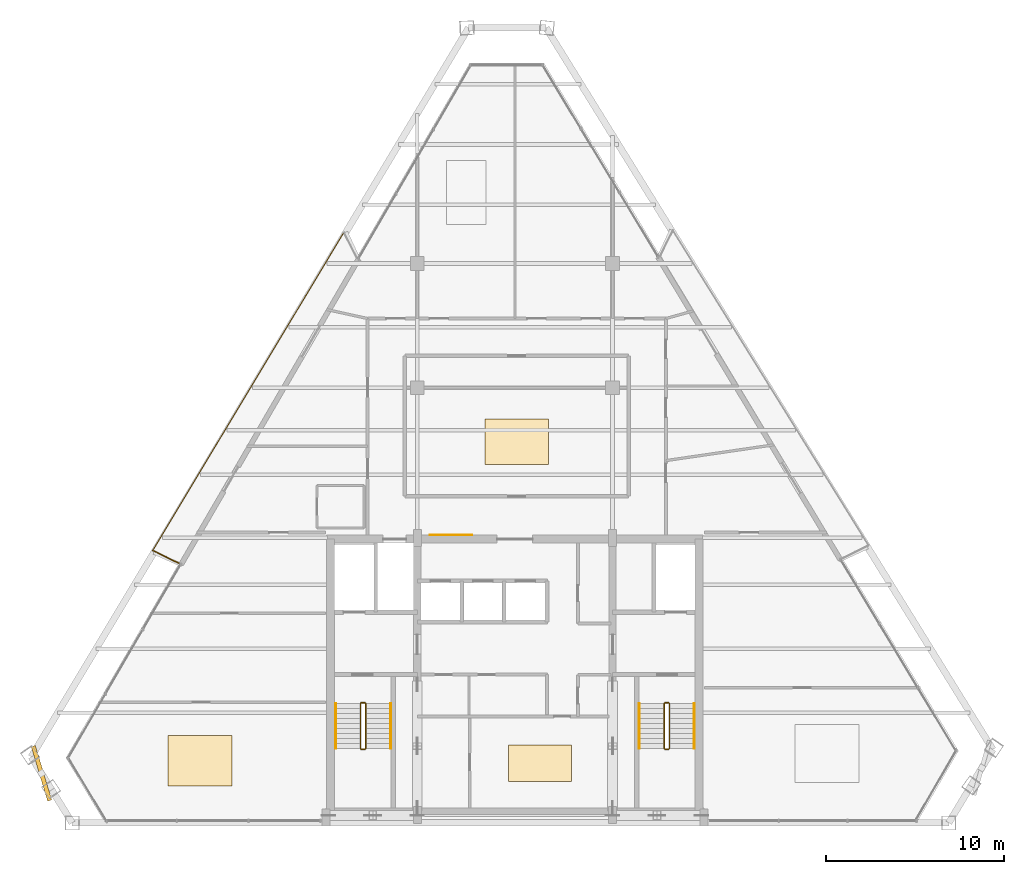
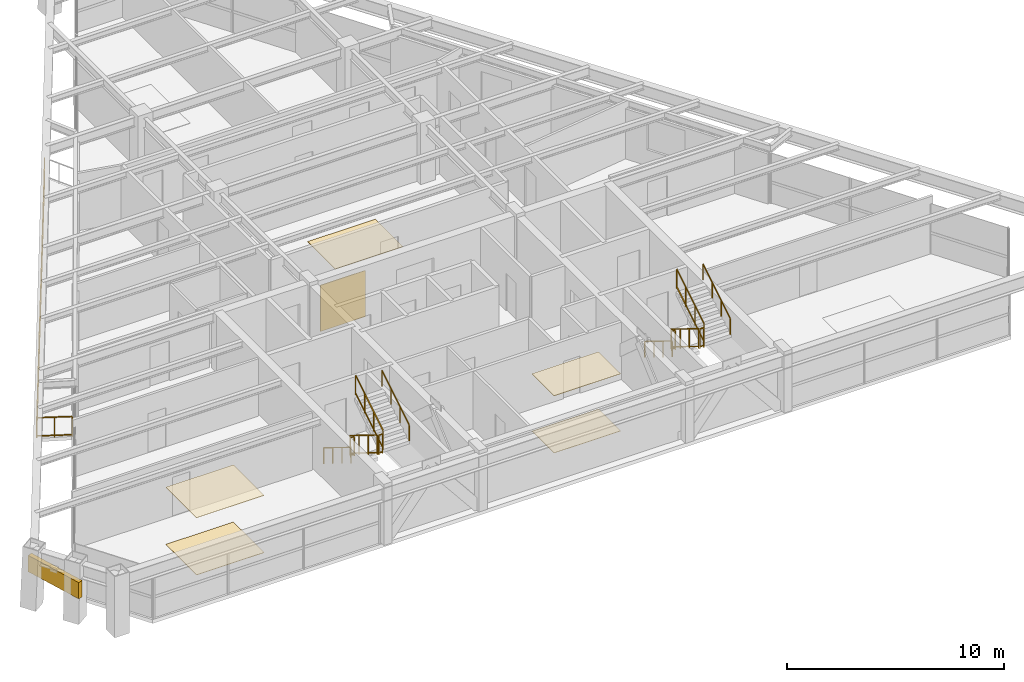
# One storey, part 12 of 13: 14 railings, 6 coverings, 1 shading device.
"""IFC4 building model written with IfcOpenShell, lengths in metres."""

from ifc_helpers import new_model, si_unit, direction, frame, origin, origin_2d, place, context, subcontext, project, spatial, rectangle, extrude, source, transform, mapped, material, layer, layer_set, type_object, type_shapes, element, save


model = new_model("IFC4")

# Units and contexts
model_context = context("Model", 3, precision=1e-05, world=origin(), true_north=direction((0.0, 1.0)))
body_context = subcontext(model_context, "Body", "Model", "MODEL_VIEW")
ifc_project = project(units=[si_unit("LENGTHUNIT", "METRE"), si_unit("AREAUNIT", "SQUARE_METRE"), si_unit("VOLUMEUNIT", "CUBIC_METRE"), si_unit("PLANEANGLEUNIT", "RADIAN"), si_unit("MASSUNIT", "GRAM", prefix="KILO")], contexts=[model_context])

# Site, building, storey
site_placement = place(None, origin())
site = spatial("IfcSite", under=ifc_project, at=site_placement, CompositionType="ELEMENT")
building_placement = place(site_placement, origin())
building = spatial("IfcBuilding", under=site, at=building_placement, Name="Varnakhor Terracotta Tower", CompositionType="ELEMENT")
storey_placement = place(building_placement, frame((0.0, 0.0, 262.64990234375)))
storey = spatial("IfcBuildingStorey", under=building, at=storey_placement, Name="L68", CompositionType="ELEMENT", Elevation=262.64990234375)

# Railings
ifc_material_1 = material(Name="Stainless Steel & Laminated Glass Guardrail", Category="steel")
railing_type_1 = type_object("IfcRailingType", Name="RLG-LOGGIA-GUARD-1150", PredefinedType="GUARDRAIL", material=ifc_material_1)
railing_1_placement = place(storey_placement, frame((-18.9248046875, 14.615966796875, 0.0)))
element("IfcRailing", 1, at=railing_1_placement, inside=storey, type_object=railing_type_1, Name="L68 W Loggia Glass Guard 1", PredefinedType="GUARDRAIL", context=body_context, shape_type="SweptSolid", body=[
    extrude(rectangle(XDim=0.048095703125, YDim=0.048095703125, at=origin_2d()), frame((0.0, 0.0, 1.1259765625), z_axis=(-0.896441204618, 0.443162686452, 0.0), x_axis=(-0.443162686452, -0.896441204618, 0.0)), (0.0, 0.0, 1.0), 1.64111328125),
    extrude(rectangle(XDim=0.048095703125, YDim=0.048095703125, at=origin_2d()), frame((0.0, 0.0, 0.10009765625), z_axis=(-0.896441204618, 0.443162686452, 0.0), x_axis=(-0.443162686452, -0.896441204618, 0.0)), (0.0, 0.0, 1.0), 1.64111328125),
    extrude(rectangle(XDim=0.0419921875, YDim=0.0419921875, at=origin_2d()), origin(), (0.0, 0.0, 1.0), 1.101806640625),
    extrude(rectangle(XDim=0.0419921875, YDim=0.0419921875, at=origin_2d()), frame((-0.735595703125, 0.36376953125, 0.0)), (0.0, 0.0, 1.0), 1.101806640625),
    extrude(rectangle(XDim=0.0419921875, YDim=0.0419921875, at=origin_2d()), frame((-1.47119140625, 0.727294921875, 0.0)), (0.0, 0.0, 1.0), 1.101806640625),
])
railing_2_placement = place(storey_placement, frame((-20.39599609375, 15.34326171875, 0.0)))
element("IfcRailing", 2, at=railing_2_placement, inside=storey, type_object=railing_type_1, Name="L68 W Loggia Glass Guard 2", PredefinedType="GUARDRAIL", context=body_context, shape_type="SweptSolid", body=[
    extrude(rectangle(XDim=0.048095703125, YDim=0.048095703125, at=origin_2d()), frame((0.0, 0.0, 1.1259765625), z_axis=(0.514990595221, 0.857195827588, 0.0), x_axis=(-0.857195827588, 0.514990595221, 0.0)), (0.0, 0.0, 1.0), 20.89208984375),
    extrude(rectangle(XDim=0.048095703125, YDim=0.048095703125, at=origin_2d()), frame((0.0, 0.0, 0.10009765625), z_axis=(0.514990595221, 0.857195827588, 0.0), x_axis=(-0.857195827588, 0.514990595221, 0.0)), (0.0, 0.0, 1.0), 20.89208984375),
    extrude(rectangle(XDim=0.0419921875, YDim=0.0419921875, at=origin_2d()), origin(), (0.0, 0.0, 1.0), 1.101806640625),
    extrude(rectangle(XDim=0.0419921875, YDim=0.0419921875, at=origin_2d()), frame((0.71728515625, 1.19384765625, 0.0)), (0.0, 0.0, 1.0), 1.101806640625),
    extrude(rectangle(XDim=0.0419921875, YDim=0.0419921875, at=origin_2d()), frame((1.4345703125, 2.387939453125, 0.0)), (0.0, 0.0, 1.0), 1.101806640625),
    extrude(rectangle(XDim=0.0419921875, YDim=0.0419921875, at=origin_2d()), frame((2.15185546875, 3.581787109375, 0.0)), (0.0, 0.0, 1.0), 1.101806640625),
    extrude(rectangle(XDim=0.0419921875, YDim=0.0419921875, at=origin_2d()), frame((2.869140625, 4.775634765625, 0.0)), (0.0, 0.0, 1.0), 1.101806640625),
    extrude(rectangle(XDim=0.0419921875, YDim=0.0419921875, at=origin_2d()), frame((3.58642578125, 5.969482421875, 0.0)), (0.0, 0.0, 1.0), 1.101806640625),
    extrude(rectangle(XDim=0.0419921875, YDim=0.0419921875, at=origin_2d()), frame((4.3037109375, 7.16357421875, 0.0)), (0.0, 0.0, 1.0), 1.101806640625),
    extrude(rectangle(XDim=0.0419921875, YDim=0.0419921875, at=origin_2d()), frame((5.02099609375, 8.357421875, 0.0)), (0.0, 0.0, 1.0), 1.101806640625),
    extrude(rectangle(XDim=0.0419921875, YDim=0.0419921875, at=origin_2d()), frame((5.73828125, 9.55126953125, 0.0)), (0.0, 0.0, 1.0), 1.101806640625),
    extrude(rectangle(XDim=0.0419921875, YDim=0.0419921875, at=origin_2d()), frame((6.45556640625, 10.7451171875, 0.0)), (0.0, 0.0, 1.0), 1.101806640625),
    extrude(rectangle(XDim=0.0419921875, YDim=0.0419921875, at=origin_2d()), frame((7.1728515625, 11.939208984375, 0.0)), (0.0, 0.0, 1.0), 1.101806640625),
    extrude(rectangle(XDim=0.0419921875, YDim=0.0419921875, at=origin_2d()), frame((7.89013671875, 13.133056640625, 0.0)), (0.0, 0.0, 1.0), 1.101806640625),
    extrude(rectangle(XDim=0.0419921875, YDim=0.0419921875, at=origin_2d()), frame((8.607421875, 14.326904296875, 0.0)), (0.0, 0.0, 1.0), 1.101806640625),
    extrude(rectangle(XDim=0.0419921875, YDim=0.0419921875, at=origin_2d()), frame((9.32470703125, 15.520751953125, 0.0)), (0.0, 0.0, 1.0), 1.101806640625),
    extrude(rectangle(XDim=0.0419921875, YDim=0.0419921875, at=origin_2d()), frame((10.0419921875, 16.71484375, 0.0)), (0.0, 0.0, 1.0), 1.101806640625),
    extrude(rectangle(XDim=0.0419921875, YDim=0.0419921875, at=origin_2d()), frame((10.75927734375, 17.90869140625, 0.0)), (0.0, 0.0, 1.0), 1.101806640625),
])
ifc_material_2 = material(Name="Painted Steel Stairwell Guardrail", Category="steel")
railing_type_2 = type_object("IfcRailingType", Name="RLG-STAIR-GUARD-1120", PredefinedType="GUARDRAIL", material=ifc_material_2)
railing_3_placement = place(storey_placement, frame((-8.699951171875, 6.7099609375, 0.172607421875)))
element("IfcRailing", 3, at=railing_3_placement, inside=storey, type_object=railing_type_2, Name="L68 ST-1 stair guard 1", PredefinedType="GUARDRAIL", context=body_context, shape_type="SweptSolid", body=[
    extrude(rectangle(XDim=0.048095703125, YDim=0.048095703125, at=origin_2d()), frame((0.0, 0.0, 1.09619140625), z_axis=(0.0, -0.851400495292, 0.524516154772), x_axis=(1.0, 0.0, 0.0)), (0.0, 0.0, 1.0), 2.9599609375),
    extrude(rectangle(XDim=0.048095703125, YDim=0.048095703125, at=origin_2d()), frame((0.0, 0.0, 0.10009765625), z_axis=(0.0, -0.851400495292, 0.524516154772), x_axis=(1.0, 0.0, 0.0)), (0.0, 0.0, 1.0), 2.9599609375),
    extrude(rectangle(XDim=0.0419921875, YDim=0.0419921875, at=origin_2d()), origin(), (0.0, 0.0, 1.0), 1.072021484375),
    extrude(rectangle(XDim=0.0419921875, YDim=0.0419921875, at=origin_2d()), frame((0.0, -0.840087890625, 0.517578125)), (0.0, 0.0, 1.0), 1.072021484375),
    extrude(rectangle(XDim=0.0419921875, YDim=0.0419921875, at=origin_2d()), frame((0.0, -1.679931640625, 1.034912109375)), (0.0, 0.0, 1.0), 1.072021484375),
    extrude(rectangle(XDim=0.0419921875, YDim=0.0419921875, at=origin_2d()), frame((0.0, -2.52001953125, 1.552490234375)), (0.0, 0.0, 1.0), 1.072021484375),
])
railing_4_placement = place(storey_placement, frame((-8.64990234375, 4.139892578125, 1.72509765625)))
element("IfcRailing", 4, at=railing_4_placement, inside=storey, type_object=railing_type_2, Name="L68 ST-1 stair guard 2", PredefinedType="GUARDRAIL", context=body_context, shape_type="SweptSolid", body=[
    extrude(rectangle(XDim=0.048095703125, YDim=0.048095703125, at=origin_2d()), frame((0.0, 0.0, 1.09619140625), z_axis=(1.0, 0.0, 0.0), x_axis=(0.0, 1.0, 0.0)), (0.0, 0.0, 1.0), 0.199951171875),
    extrude(rectangle(XDim=0.048095703125, YDim=0.048095703125, at=origin_2d()), frame((0.0, 0.0, 0.10009765625), z_axis=(1.0, 0.0, 0.0), x_axis=(0.0, 1.0, 0.0)), (0.0, 0.0, 1.0), 0.199951171875),
    extrude(rectangle(XDim=0.0419921875, YDim=0.0419921875, at=origin_2d()), origin(), (0.0, 0.0, 1.0), 1.072021484375),
    extrude(rectangle(XDim=0.0419921875, YDim=0.0419921875, at=origin_2d()), frame((0.199951171875, 0.0, 0.0)), (0.0, 0.0, 1.0), 1.072021484375),
])
railing_5_placement = place(storey_placement, frame((-8.39990234375, 4.18994140625, 1.897705078125)))
element("IfcRailing", 5, at=railing_5_placement, inside=storey, type_object=railing_type_2, Name="L68 ST-1 stair guard 3", PredefinedType="GUARDRAIL", context=body_context, shape_type="SweptSolid", body=[
    extrude(rectangle(XDim=0.048095703125, YDim=0.048095703125, at=origin_2d()), frame((0.0, 0.0, 1.09619140625), z_axis=(0.0, 0.851400495292, 0.524516154772), x_axis=(-1.0, 0.0, 0.0)), (0.0, 0.0, 1.0), 2.9599609375),
    extrude(rectangle(XDim=0.048095703125, YDim=0.048095703125, at=origin_2d()), frame((0.0, 0.0, 0.10009765625), z_axis=(0.0, 0.851400495292, 0.524516154772), x_axis=(-1.0, 0.0, 0.0)), (0.0, 0.0, 1.0), 2.9599609375),
    extrude(rectangle(XDim=0.0419921875, YDim=0.0419921875, at=origin_2d()), origin(), (0.0, 0.0, 1.0), 1.072021484375),
    extrude(rectangle(XDim=0.0419921875, YDim=0.0419921875, at=origin_2d()), frame((0.0, 0.840087890625, 0.517578125)), (0.0, 0.0, 1.0), 1.072021484375),
    extrude(rectangle(XDim=0.0419921875, YDim=0.0419921875, at=origin_2d()), frame((0.0, 1.679931640625, 1.034912109375)), (0.0, 0.0, 1.0), 1.072021484375),
    extrude(rectangle(XDim=0.0419921875, YDim=0.0419921875, at=origin_2d()), frame((0.0, 2.52001953125, 1.552490234375)), (0.0, 0.0, 1.0), 1.072021484375),
])
railing_6_placement = place(storey_placement, frame((-8.64990234375, 6.760009765625, 0.0)))
element("IfcRailing", 6, at=railing_6_placement, inside=storey, type_object=railing_type_2, Name="L68 ST-1 stair guard 4", PredefinedType="GUARDRAIL", context=body_context, shape_type="SweptSolid", body=[
    extrude(rectangle(XDim=0.048095703125, YDim=0.048095703125, at=origin_2d()), frame((0.0, 0.0, 1.09619140625), z_axis=(1.0, 0.0, 0.0), x_axis=(0.0, 1.0, 0.0)), (0.0, 0.0, 1.0), 0.199951171875),
    extrude(rectangle(XDim=0.048095703125, YDim=0.048095703125, at=origin_2d()), frame((0.0, 0.0, 0.10009765625), z_axis=(1.0, 0.0, 0.0), x_axis=(0.0, 1.0, 0.0)), (0.0, 0.0, 1.0), 0.199951171875),
    extrude(rectangle(XDim=0.0419921875, YDim=0.0419921875, at=origin_2d()), origin(), (0.0, 0.0, 1.0), 1.072021484375),
    extrude(rectangle(XDim=0.0419921875, YDim=0.0419921875, at=origin_2d()), frame((0.199951171875, 0.0, 0.0)), (0.0, 0.0, 1.0), 1.072021484375),
])
railing_7_placement = place(storey_placement, frame((8.39990234375, 6.7099609375, 0.172607421875)))
element("IfcRailing", 7, at=railing_7_placement, inside=storey, type_object=railing_type_2, Name="L68 ST-2 stair guard 1", PredefinedType="GUARDRAIL", context=body_context, shape_type="SweptSolid", body=[
    extrude(rectangle(XDim=0.048095703125, YDim=0.048095703125, at=origin_2d()), frame((0.0, 0.0, 1.09619140625), z_axis=(0.0, -0.851400495292, 0.524516154772), x_axis=(1.0, 0.0, 0.0)), (0.0, 0.0, 1.0), 2.9599609375),
    extrude(rectangle(XDim=0.048095703125, YDim=0.048095703125, at=origin_2d()), frame((0.0, 0.0, 0.10009765625), z_axis=(0.0, -0.851400495292, 0.524516154772), x_axis=(1.0, 0.0, 0.0)), (0.0, 0.0, 1.0), 2.9599609375),
    extrude(rectangle(XDim=0.0419921875, YDim=0.0419921875, at=origin_2d()), origin(), (0.0, 0.0, 1.0), 1.072021484375),
    extrude(rectangle(XDim=0.0419921875, YDim=0.0419921875, at=origin_2d()), frame((0.0, -0.840087890625, 0.517578125)), (0.0, 0.0, 1.0), 1.072021484375),
    extrude(rectangle(XDim=0.0419921875, YDim=0.0419921875, at=origin_2d()), frame((0.0, -1.679931640625, 1.034912109375)), (0.0, 0.0, 1.0), 1.072021484375),
    extrude(rectangle(XDim=0.0419921875, YDim=0.0419921875, at=origin_2d()), frame((0.0, -2.52001953125, 1.552490234375)), (0.0, 0.0, 1.0), 1.072021484375),
])
railing_8_placement = place(storey_placement, frame((8.449951171875, 4.139892578125, 1.72509765625)))
element("IfcRailing", 8, at=railing_8_placement, inside=storey, type_object=railing_type_2, Name="L68 ST-2 stair guard 2", PredefinedType="GUARDRAIL", context=body_context, shape_type="SweptSolid", body=[
    extrude(rectangle(XDim=0.048095703125, YDim=0.048095703125, at=origin_2d()), frame((0.0, 0.0, 1.09619140625), z_axis=(1.0, 0.0, 0.0), x_axis=(0.0, 1.0, 0.0)), (0.0, 0.0, 1.0), 0.199951171875),
    extrude(rectangle(XDim=0.048095703125, YDim=0.048095703125, at=origin_2d()), frame((0.0, 0.0, 0.10009765625), z_axis=(1.0, 0.0, 0.0), x_axis=(0.0, 1.0, 0.0)), (0.0, 0.0, 1.0), 0.199951171875),
    extrude(rectangle(XDim=0.0419921875, YDim=0.0419921875, at=origin_2d()), origin(), (0.0, 0.0, 1.0), 1.072021484375),
    extrude(rectangle(XDim=0.0419921875, YDim=0.0419921875, at=origin_2d()), frame((0.199951171875, 0.0, 0.0)), (0.0, 0.0, 1.0), 1.072021484375),
])
railing_9_placement = place(storey_placement, frame((8.699951171875, 4.18994140625, 1.897705078125)))
element("IfcRailing", 9, at=railing_9_placement, inside=storey, type_object=railing_type_2, Name="L68 ST-2 stair guard 3", PredefinedType="GUARDRAIL", context=body_context, shape_type="SweptSolid", body=[
    extrude(rectangle(XDim=0.048095703125, YDim=0.048095703125, at=origin_2d()), frame((0.0, 0.0, 1.09619140625), z_axis=(0.0, 0.851400495292, 0.524516154772), x_axis=(-1.0, 0.0, 0.0)), (0.0, 0.0, 1.0), 2.9599609375),
    extrude(rectangle(XDim=0.048095703125, YDim=0.048095703125, at=origin_2d()), frame((0.0, 0.0, 0.10009765625), z_axis=(0.0, 0.851400495292, 0.524516154772), x_axis=(-1.0, 0.0, 0.0)), (0.0, 0.0, 1.0), 2.9599609375),
    extrude(rectangle(XDim=0.0419921875, YDim=0.0419921875, at=origin_2d()), origin(), (0.0, 0.0, 1.0), 1.072021484375),
    extrude(rectangle(XDim=0.0419921875, YDim=0.0419921875, at=origin_2d()), frame((0.0, 0.840087890625, 0.517578125)), (0.0, 0.0, 1.0), 1.072021484375),
    extrude(rectangle(XDim=0.0419921875, YDim=0.0419921875, at=origin_2d()), frame((0.0, 1.679931640625, 1.034912109375)), (0.0, 0.0, 1.0), 1.072021484375),
    extrude(rectangle(XDim=0.0419921875, YDim=0.0419921875, at=origin_2d()), frame((0.0, 2.52001953125, 1.552490234375)), (0.0, 0.0, 1.0), 1.072021484375),
])
railing_10_placement = place(storey_placement, frame((8.449951171875, 6.760009765625, 0.0)))
element("IfcRailing", 10, at=railing_10_placement, inside=storey, type_object=railing_type_2, Name="L68 ST-2 stair guard 4", PredefinedType="GUARDRAIL", context=body_context, shape_type="SweptSolid", body=[
    extrude(rectangle(XDim=0.048095703125, YDim=0.048095703125, at=origin_2d()), frame((0.0, 0.0, 1.09619140625), z_axis=(1.0, 0.0, 0.0), x_axis=(0.0, 1.0, 0.0)), (0.0, 0.0, 1.0), 0.199951171875),
    extrude(rectangle(XDim=0.048095703125, YDim=0.048095703125, at=origin_2d()), frame((0.0, 0.0, 0.10009765625), z_axis=(1.0, 0.0, 0.0), x_axis=(0.0, 1.0, 0.0)), (0.0, 0.0, 1.0), 0.199951171875),
    extrude(rectangle(XDim=0.0419921875, YDim=0.0419921875, at=origin_2d()), origin(), (0.0, 0.0, 1.0), 1.072021484375),
    extrude(rectangle(XDim=0.0419921875, YDim=0.0419921875, at=origin_2d()), frame((0.199951171875, 0.0, 0.0)), (0.0, 0.0, 1.0), 1.072021484375),
])
ifc_material_3 = material(Name="Brushed Stainless Steel Handrail", Category="steel")
railing_type_3 = type_object("IfcRailingType", Name="RLG-STAIR-HANDRAIL-920", PredefinedType="HANDRAIL", material=ifc_material_3)
railing_11_placement = place(storey_placement, frame((-10.10009765625, 6.7099609375, 0.172607421875)))
element("IfcRailing", 11, at=railing_11_placement, inside=storey, type_object=railing_type_3, Name="L68 ST-1 stair handrail 1", PredefinedType="HANDRAIL", context=body_context, shape_type="SweptSolid", body=[
    extrude(rectangle(XDim=0.048095703125, YDim=0.048095703125, at=origin_2d()), frame((0.0, 0.0, 0.89599609375), z_axis=(0.0, -0.851400495292, 0.524516154772), x_axis=(1.0, 0.0, 0.0)), (0.0, 0.0, 1.0), 2.9599609375),
    extrude(rectangle(XDim=0.0419921875, YDim=0.0419921875, at=origin_2d()), origin(), (0.0, 0.0, 1.0), 0.871826171875),
    extrude(rectangle(XDim=0.0419921875, YDim=0.0419921875, at=origin_2d()), frame((0.0, -0.840087890625, 0.517578125)), (0.0, 0.0, 1.0), 0.871826171875),
    extrude(rectangle(XDim=0.0419921875, YDim=0.0419921875, at=origin_2d()), frame((0.0, -1.679931640625, 1.034912109375)), (0.0, 0.0, 1.0), 0.871826171875),
    extrude(rectangle(XDim=0.0419921875, YDim=0.0419921875, at=origin_2d()), frame((0.0, -2.52001953125, 1.552490234375)), (0.0, 0.0, 1.0), 0.871826171875),
])
railing_12_placement = place(storey_placement, frame((-7.0, 4.18994140625, 1.897705078125)))
element("IfcRailing", 12, at=railing_12_placement, inside=storey, type_object=railing_type_3, Name="L68 ST-1 stair handrail 2", PredefinedType="HANDRAIL", context=body_context, shape_type="SweptSolid", body=[
    extrude(rectangle(XDim=0.048095703125, YDim=0.048095703125, at=origin_2d()), frame((0.0, 0.0, 0.89599609375), z_axis=(0.0, 0.851400495292, 0.524516154772), x_axis=(-1.0, 0.0, 0.0)), (0.0, 0.0, 1.0), 2.9599609375),
    extrude(rectangle(XDim=0.0419921875, YDim=0.0419921875, at=origin_2d()), origin(), (0.0, 0.0, 1.0), 0.871826171875),
    extrude(rectangle(XDim=0.0419921875, YDim=0.0419921875, at=origin_2d()), frame((0.0, 0.840087890625, 0.517578125)), (0.0, 0.0, 1.0), 0.871826171875),
    extrude(rectangle(XDim=0.0419921875, YDim=0.0419921875, at=origin_2d()), frame((0.0, 1.679931640625, 1.034912109375)), (0.0, 0.0, 1.0), 0.871826171875),
    extrude(rectangle(XDim=0.0419921875, YDim=0.0419921875, at=origin_2d()), frame((0.0, 2.52001953125, 1.552490234375)), (0.0, 0.0, 1.0), 0.871826171875),
])
railing_13_placement = place(storey_placement, frame((7.0, 6.7099609375, 0.172607421875)))
element("IfcRailing", 13, at=railing_13_placement, inside=storey, type_object=railing_type_3, Name="L68 ST-2 stair handrail 1", PredefinedType="HANDRAIL", context=body_context, shape_type="SweptSolid", body=[
    extrude(rectangle(XDim=0.048095703125, YDim=0.048095703125, at=origin_2d()), frame((0.0, 0.0, 0.89599609375), z_axis=(0.0, -0.851400495292, 0.524516154772), x_axis=(1.0, 0.0, 0.0)), (0.0, 0.0, 1.0), 2.9599609375),
    extrude(rectangle(XDim=0.0419921875, YDim=0.0419921875, at=origin_2d()), origin(), (0.0, 0.0, 1.0), 0.871826171875),
    extrude(rectangle(XDim=0.0419921875, YDim=0.0419921875, at=origin_2d()), frame((0.0, -0.840087890625, 0.517578125)), (0.0, 0.0, 1.0), 0.871826171875),
    extrude(rectangle(XDim=0.0419921875, YDim=0.0419921875, at=origin_2d()), frame((0.0, -1.679931640625, 1.034912109375)), (0.0, 0.0, 1.0), 0.871826171875),
    extrude(rectangle(XDim=0.0419921875, YDim=0.0419921875, at=origin_2d()), frame((0.0, -2.52001953125, 1.552490234375)), (0.0, 0.0, 1.0), 0.871826171875),
])
railing_14_placement = place(storey_placement, frame((10.10009765625, 4.18994140625, 1.897705078125)))
element("IfcRailing", 14, at=railing_14_placement, inside=storey, type_object=railing_type_3, Name="L68 ST-2 stair handrail 2", PredefinedType="HANDRAIL", context=body_context, shape_type="SweptSolid", body=[
    extrude(rectangle(XDim=0.048095703125, YDim=0.048095703125, at=origin_2d()), frame((0.0, 0.0, 0.89599609375), z_axis=(0.0, 0.851400495292, 0.524516154772), x_axis=(-1.0, 0.0, 0.0)), (0.0, 0.0, 1.0), 2.9599609375),
    extrude(rectangle(XDim=0.0419921875, YDim=0.0419921875, at=origin_2d()), origin(), (0.0, 0.0, 1.0), 0.871826171875),
    extrude(rectangle(XDim=0.0419921875, YDim=0.0419921875, at=origin_2d()), frame((0.0, 0.840087890625, 0.517578125)), (0.0, 0.0, 1.0), 0.871826171875),
    extrude(rectangle(XDim=0.0419921875, YDim=0.0419921875, at=origin_2d()), frame((0.0, 1.679931640625, 1.034912109375)), (0.0, 0.0, 1.0), 0.871826171875),
    extrude(rectangle(XDim=0.0419921875, YDim=0.0419921875, at=origin_2d()), frame((0.0, 2.52001953125, 1.552490234375)), (0.0, 0.0, 1.0), 0.871826171875),
])

# Shading device
ifc_material_4 = material(Name="Extruded Architectural Terracotta Screen", Category="masonry")
shading_device_type = type_object("IfcShadingDeviceType", Name="TERRACOTTA SOLAR SCREEN W", PredefinedType="USERDEFINED", material=ifc_material_4)
shared_shape_1 = source(origin(), body_context, "Body", "SweptSolid", [
    extrude(rectangle(XDim=3.199951171875, YDim=0.239990234375, at=origin_2d()), origin(), (0.0, 0.0, 1.0), 0.919921875),
])
type_shapes(shading_device_type, [shared_shape_1])
shading_device_placement = place(storey_placement, frame((-26.66259765625, 2.7880859375, 1.562255859375), z_axis=(0.0, 0.0, 1.0), x_axis=(0.288346679536, -0.957526079227, 0.0)))
element("IfcShadingDevice", 15, at=shading_device_placement, inside=storey, type_object=shading_device_type, Name="L68 W Terracotta Solar Screen", ObjectType="SCREEN", PredefinedType="USERDEFINED", context=body_context, shape_type="MappedRepresentation", body=[
    mapped(shared_shape_1, transform((0.0, 0.0, 0.0), scale=1.0)),
])

# Coverings
ifc_material_5 = material(Name="Extruded Architectural Terracotta Cladding", Category="masonry")
ifc_layer_1 = layer(ifc_material_5, 0.044921875, Name="Extruded Architectural Terracotta Cladding")
ifc_layer_set_1 = layer_set([ifc_layer_1], Name="Extruded Architectural Terracotta Cladding")
covering_type_1 = type_object("IfcCoveringType", Name="COV-CLAD-TERRACOTTA", PredefinedType="CLADDING", material=ifc_layer_set_1)
shared_shape_2 = source(origin(), body_context, "Body", "SweptSolid", [
    extrude(rectangle(XDim=2.39990234375, YDim=0.030029296875, at=origin_2d()), origin(), (0.0, 0.0, 1.0), 2.60009765625),
])
type_shapes(covering_type_1, [shared_shape_2])
covering_1_placement = place(storey_placement, frame((-3.60009765625, 16.2119140625, 0.0), z_axis=(0.0, 0.0, 1.0), x_axis=(1.0, 0.0, 0.0)))
element("IfcCovering", 16, at=covering_1_placement, inside=storey, type_object=covering_type_1, Name="L68 Core Lobby Limestone Cladding", PredefinedType="CLADDING", context=body_context, shape_type="MappedRepresentation", body=[
    mapped(shared_shape_2, transform((0.0, 0.0, 0.0), scale=1.0)),
])
ifc_material_6 = material(Name="Honed Riyadh Limestone Flooring", Category="masonry")
ifc_layer_2 = layer(ifc_material_6, 0.030029296875, Name="Honed Riyadh Limestone Flooring")
ifc_layer_set_2 = layer_set([ifc_layer_2], Name="Honed Riyadh Limestone Flooring")
covering_type_2 = type_object("IfcCoveringType", Name="COV-FLOOR-LIMESTONE", PredefinedType="FLOORING", material=ifc_layer_set_2)
shared_shape_3 = source(origin(), body_context, "Body", "SweptSolid", [
    extrude(rectangle(XDim=3.547119140625, YDim=2.041015625, at=origin_2d()), origin(), (0.0, 0.0, 1.0), 0.02001953125),
])
covering_2_placement = place(storey_placement, frame((1.4150390625, 3.35498046875, 0.0), z_axis=(0.0, 0.0, 1.0), x_axis=(1.0, 0.0, 0.0)))
element("IfcCovering", 17, at=covering_2_placement, inside=storey, type_object=covering_type_2, Name="L68 Honed Stone Flooring 1", PredefinedType="FLOORING", context=body_context, shape_type="MappedRepresentation", body=[
    mapped(shared_shape_3, transform((0.0, 0.0, 0.0), scale=1.0)),
])
ifc_material_7 = material(Name="Perforated Acoustic Mineral-Fibre Ceiling", Category="gypsum")
ifc_layer_3 = layer(ifc_material_7, 0.02490234375, Name="Perforated Acoustic Mineral-Fibre Ceiling")
ifc_layer_set_3 = layer_set([ifc_layer_3], Name="Perforated Acoustic Mineral-Fibre Ceiling")
covering_type_3 = type_object("IfcCoveringType", Name="COV-CEILING-ACOUSTIC", PredefinedType="CEILING", material=ifc_layer_set_3)
shared_shape_4 = source(origin(), body_context, "Body", "SweptSolid", [
    extrude(rectangle(XDim=3.547119140625, YDim=2.041015625, at=origin_2d()), origin(), (0.0, 0.0, 1.0), 0.02392578125),
])
covering_3_placement = place(storey_placement, frame((1.4150390625, 3.35498046875, 3.216064453125), z_axis=(0.0, 0.0, 1.0), x_axis=(1.0, 0.0, 0.0)))
element("IfcCovering", 18, at=covering_3_placement, inside=storey, type_object=covering_type_3, Name="L68 Acoustic Ceiling Panel 1", PredefinedType="CEILING", context=body_context, shape_type="MappedRepresentation", body=[
    mapped(shared_shape_4, transform((0.0, 0.0, 0.0), scale=1.0)),
])
shared_shape_5 = source(origin(), body_context, "Body", "SweptSolid", [
    extrude(rectangle(XDim=3.60009765625, YDim=2.5439453125, at=origin_2d()), origin(), (0.0, 0.0, 1.0), 0.02001953125),
])
covering_4_placement = place(storey_placement, frame((0.10009765625, 21.4609375, 0.0), z_axis=(0.0, 0.0, 1.0), x_axis=(1.0, 0.0, 0.0)))
element("IfcCovering", 19, at=covering_4_placement, inside=storey, type_object=covering_type_2, Name="L68 Honed Stone Flooring 4", PredefinedType="FLOORING", context=body_context, shape_type="MappedRepresentation", body=[
    mapped(shared_shape_5, transform((0.0, 0.0, 0.0), scale=1.0)),
])
shared_shape_6 = source(origin(), body_context, "Body", "SweptSolid", [
    extrude(rectangle(XDim=3.60009765625, YDim=2.83203125, at=origin_2d()), origin(), (0.0, 0.0, 1.0), 0.02001953125),
])
covering_5_placement = place(storey_placement, frame((-17.739990234375, 3.5048828125, 0.0), z_axis=(0.0, 0.0, 1.0), x_axis=(1.0, 0.0, 0.0)))
element("IfcCovering", 20, at=covering_5_placement, inside=storey, type_object=covering_type_2, Name="L68 Honed Stone Flooring 2", PredefinedType="FLOORING", context=body_context, shape_type="MappedRepresentation", body=[
    mapped(shared_shape_6, transform((0.0, 0.0, 0.0), scale=1.0)),
])
shared_shape_7 = source(origin(), body_context, "Body", "SweptSolid", [
    extrude(rectangle(XDim=3.60009765625, YDim=2.83203125, at=origin_2d()), origin(), (0.0, 0.0, 1.0), 0.02392578125),
])
covering_6_placement = place(storey_placement, frame((-17.739990234375, 3.5048828125, 3.216064453125), z_axis=(0.0, 0.0, 1.0), x_axis=(1.0, 0.0, 0.0)))
element("IfcCovering", 21, at=covering_6_placement, inside=storey, type_object=covering_type_3, Name="L68 Acoustic Ceiling Panel 2", PredefinedType="CEILING", context=body_context, shape_type="MappedRepresentation", body=[
    mapped(shared_shape_7, transform((0.0, 0.0, 0.0), scale=1.0)),
])

save(model, "model.ifc")
